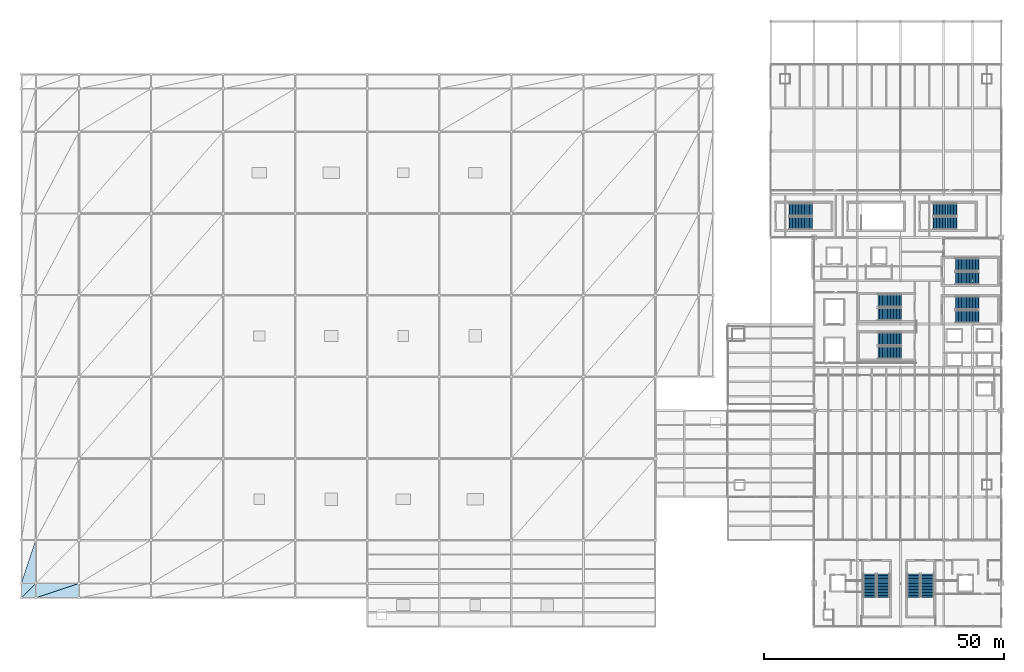
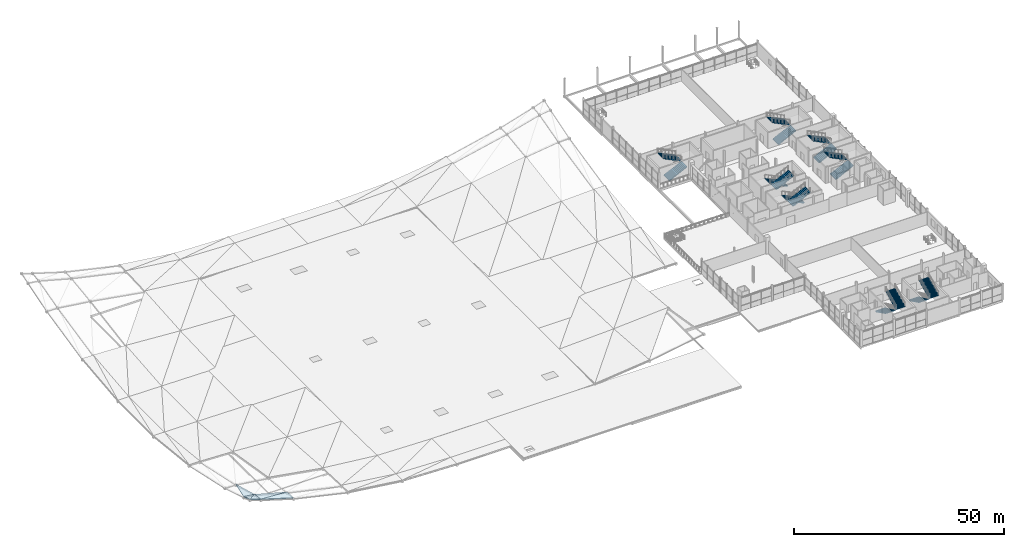
# One storey, part 54 of 69: 16 stair flights, 5 roofs, 8 elements without a shape of their own.
"""IFC4 building model written with IfcOpenShell, lengths in metres."""

from ifc_helpers import new_model, si_unit, direction, frame, origin, place, context, subcontext, project, spatial, polyline, outline, extrude, material, layer, layer_set, type_object, element, aggregate, save


model = new_model("IFC4")

# Units and contexts
model_context = context("Model", 3, precision=1e-05, world=origin(), true_north=direction((0.0, 1.0)))
body_context = subcontext(model_context, "Body", "Model", "MODEL_VIEW")
ifc_project = project(units=[si_unit("LENGTHUNIT", "METRE"), si_unit("AREAUNIT", "SQUARE_METRE"), si_unit("VOLUMEUNIT", "CUBIC_METRE"), si_unit("PLANEANGLEUNIT", "RADIAN"), si_unit("MASSUNIT", "GRAM", prefix="KILO")], contexts=[model_context])

# Site, building, storey
site_placement = place(None, origin())
site = spatial("IfcSite", under=ifc_project, at=site_placement, CompositionType="ELEMENT")
building_placement = place(site_placement, origin())
building = spatial("IfcBuilding", under=site, at=building_placement, Name="Qamarlyn Nura Convention Centre", CompositionType="ELEMENT")
storey_placement = place(building_placement, frame((0.0, 0.0, 15.60009765625)))
storey = spatial("IfcBuildingStorey", under=building, at=storey_placement, Name="L03", CompositionType="ELEMENT", Elevation=15.60009765625)

# Stair, stair flights
ifc_material_1 = material(Name="Concrete C40/50", Category="concrete")
stair_type = type_object("IfcStairType", Name="STAIR-EXIT-48", PredefinedType="HALF_TURN_STAIR", material=ifc_material_1)
stair_1_placement = place(storey_placement, origin())
stair_1 = element("IfcStair", 1, at=stair_1_placement, inside=storey, type_object=stair_type, Name="L03 Enclosed exit stair ST-09", PredefinedType="HALF_TURN_STAIR")
stair_flight_type = type_object("IfcStairFlightType", Name="FLIGHT-EXIT-48", PredefinedType="STRAIGHT", material=ifc_material_1)
stair_flight_1_placement = place(storey_placement, frame((164.580078125, 10.93994140625, 0.0), z_axis=(0.0, 0.0, 1.0), x_axis=(0.0, -1.0, 0.0)))
stair_flight_1 = element("IfcStairFlight", 2, at=stair_flight_1_placement, type_object=stair_flight_type, Name="ST-09 flight 1", NumberOfRisers=16, NumberOfTreads=15, PredefinedType="STRAIGHT", RiserHeight=0.15, TreadLength=0.32, context=body_context, shape_type="SweptSolid", body=[
    extrude(outline(polyline([(-0.054931640625, 0.0), (0.0, 0.0), (0.0, 0.14990234375), (0.320068359375, 0.14990234375), (0.320068359375, 0.300048828125), (0.639892578125, 0.300048828125), (0.639892578125, 0.449951171875), (0.9599609375, 0.449951171875), (0.9599609375, 0.60009765625), (1.280029296875, 0.60009765625), (1.280029296875, 0.75), (1.60009765625, 0.75), (1.60009765625, 0.89990234375), (1.919921875, 0.89990234375), (1.919921875, 1.050048828125), (2.239990234375, 1.050048828125), (2.239990234375, 1.199951171875), (2.56005859375, 1.199951171875), (2.56005859375, 1.35009765625), (2.8798828125, 1.35009765625), (2.8798828125, 1.5), (3.199951171875, 1.5), (3.199951171875, 1.64990234375), (3.52001953125, 1.64990234375), (3.52001953125, 1.800048828125), (3.840087890625, 1.800048828125), (3.840087890625, 1.949951171875), (4.159912109375, 1.949951171875), (4.159912109375, 2.10009765625), (4.47998046875, 2.10009765625), (4.47998046875, 2.25), (4.800048828125, 2.25), (4.800048828125, 2.39990234375), (4.85498046875, 2.39990234375), (4.85498046875, 2.260009765625), (4.800048828125, 2.08447265625), (0.353271484375, -0.139892578125), (-0.054931640625, -0.139892578125), (-0.054931640625, 0.0)])), frame((0.0, 1.330078125, 0.0), z_axis=(0.0, -1.0, 0.0), x_axis=(1.0, 0.0, 0.0)), (0.0, 0.0, 1.0), 2.659912109375),
])
stair_flight_2_placement = place(storey_placement, frame((167.419921875, 6.139892578125, 2.39990234375), z_axis=(0.0, 0.0, 1.0), x_axis=(0.0, 1.0, 0.0)))
stair_flight_2 = element("IfcStairFlight", 3, at=stair_flight_2_placement, type_object=stair_flight_type, Name="ST-09 flight 2", NumberOfRisers=16, NumberOfTreads=15, PredefinedType="STRAIGHT", RiserHeight=0.15, TreadLength=0.32, context=body_context, shape_type="SweptSolid", body=[
    extrude(outline(polyline([(-0.054931640625, 0.0), (0.0, 0.0), (0.0, 0.14990234375), (0.320068359375, 0.14990234375), (0.320068359375, 0.300048828125), (0.639892578125, 0.300048828125), (0.639892578125, 0.449951171875), (0.9599609375, 0.449951171875), (0.9599609375, 0.60009765625), (1.280029296875, 0.60009765625), (1.280029296875, 0.75), (1.60009765625, 0.75), (1.60009765625, 0.89990234375), (1.919921875, 0.89990234375), (1.919921875, 1.050048828125), (2.239990234375, 1.050048828125), (2.239990234375, 1.199951171875), (2.56005859375, 1.199951171875), (2.56005859375, 1.35009765625), (2.8798828125, 1.35009765625), (2.8798828125, 1.5), (3.199951171875, 1.5), (3.199951171875, 1.64990234375), (3.52001953125, 1.64990234375), (3.52001953125, 1.800048828125), (3.840087890625, 1.800048828125), (3.840087890625, 1.949951171875), (4.159912109375, 1.949951171875), (4.159912109375, 2.10009765625), (4.47998046875, 2.10009765625), (4.47998046875, 2.25), (4.800048828125, 2.25), (4.800048828125, 2.39990234375), (4.85498046875, 2.39990234375), (4.85498046875, 2.260009765625), (4.800048828125, 2.08447265625), (0.353271484375, -0.139892578125), (-0.054931640625, -0.139892578125), (-0.054931640625, 0.0)])), frame((0.0, 1.330078125, 0.0), z_axis=(0.0, -1.0, 0.0), x_axis=(1.0, 0.0, 0.0)), (0.0, 0.0, 1.0), 2.659912109375),
])
aggregate(stair_1, [stair_flight_1, stair_flight_2])

stair_2_placement = place(storey_placement, origin())
stair_2 = element("IfcStair", 4, at=stair_2_placement, inside=storey, type_object=stair_type, Name="L03 Enclosed exit stair ST-10", PredefinedType="HALF_TURN_STAIR")
stair_flight_3_placement = place(storey_placement, frame((173.780029296875, 10.93994140625, 0.0), z_axis=(0.0, 0.0, 1.0), x_axis=(0.0, -1.0, 0.0)))
stair_flight_3 = element("IfcStairFlight", 5, at=stair_flight_3_placement, type_object=stair_flight_type, Name="ST-10 flight 1", NumberOfRisers=16, NumberOfTreads=15, PredefinedType="STRAIGHT", RiserHeight=0.15, TreadLength=0.32, context=body_context, shape_type="SweptSolid", body=[
    extrude(outline(polyline([(-0.054931640625, 0.0), (0.0, 0.0), (0.0, 0.14990234375), (0.320068359375, 0.14990234375), (0.320068359375, 0.300048828125), (0.639892578125, 0.300048828125), (0.639892578125, 0.449951171875), (0.9599609375, 0.449951171875), (0.9599609375, 0.60009765625), (1.280029296875, 0.60009765625), (1.280029296875, 0.75), (1.60009765625, 0.75), (1.60009765625, 0.89990234375), (1.919921875, 0.89990234375), (1.919921875, 1.050048828125), (2.239990234375, 1.050048828125), (2.239990234375, 1.199951171875), (2.56005859375, 1.199951171875), (2.56005859375, 1.35009765625), (2.8798828125, 1.35009765625), (2.8798828125, 1.5), (3.199951171875, 1.5), (3.199951171875, 1.64990234375), (3.52001953125, 1.64990234375), (3.52001953125, 1.800048828125), (3.840087890625, 1.800048828125), (3.840087890625, 1.949951171875), (4.159912109375, 1.949951171875), (4.159912109375, 2.10009765625), (4.47998046875, 2.10009765625), (4.47998046875, 2.25), (4.800048828125, 2.25), (4.800048828125, 2.39990234375), (4.85498046875, 2.39990234375), (4.85498046875, 2.260009765625), (4.800048828125, 2.08447265625), (0.353271484375, -0.139892578125), (-0.054931640625, -0.139892578125), (-0.054931640625, 0.0)])), frame((0.0, 1.330078125, 0.0), z_axis=(0.0, -1.0, 0.0), x_axis=(1.0, 0.0, 0.0)), (0.0, 0.0, 1.0), 2.659912109375),
])
stair_flight_4_placement = place(storey_placement, frame((176.6201171875, 6.139892578125, 2.39990234375), z_axis=(0.0, 0.0, 1.0), x_axis=(0.0, 1.0, 0.0)))
stair_flight_4 = element("IfcStairFlight", 6, at=stair_flight_4_placement, type_object=stair_flight_type, Name="ST-10 flight 2", NumberOfRisers=16, NumberOfTreads=15, PredefinedType="STRAIGHT", RiserHeight=0.15, TreadLength=0.32, context=body_context, shape_type="SweptSolid", body=[
    extrude(outline(polyline([(-0.054931640625, 0.0), (0.0, 0.0), (0.0, 0.14990234375), (0.320068359375, 0.14990234375), (0.320068359375, 0.300048828125), (0.639892578125, 0.300048828125), (0.639892578125, 0.449951171875), (0.9599609375, 0.449951171875), (0.9599609375, 0.60009765625), (1.280029296875, 0.60009765625), (1.280029296875, 0.75), (1.60009765625, 0.75), (1.60009765625, 0.89990234375), (1.919921875, 0.89990234375), (1.919921875, 1.050048828125), (2.239990234375, 1.050048828125), (2.239990234375, 1.199951171875), (2.56005859375, 1.199951171875), (2.56005859375, 1.35009765625), (2.8798828125, 1.35009765625), (2.8798828125, 1.5), (3.199951171875, 1.5), (3.199951171875, 1.64990234375), (3.52001953125, 1.64990234375), (3.52001953125, 1.800048828125), (3.840087890625, 1.800048828125), (3.840087890625, 1.949951171875), (4.159912109375, 1.949951171875), (4.159912109375, 2.10009765625), (4.47998046875, 2.10009765625), (4.47998046875, 2.25), (4.800048828125, 2.25), (4.800048828125, 2.39990234375), (4.85498046875, 2.39990234375), (4.85498046875, 2.260009765625), (4.800048828125, 2.08447265625), (0.353271484375, -0.139892578125), (-0.054931640625, -0.139892578125), (-0.054931640625, 0.0)])), frame((0.0, 1.330078125, 0.0), z_axis=(0.0, -1.0, 0.0), x_axis=(1.0, 0.0, 0.0)), (0.0, 0.0, 1.0), 2.659912109375),
])
aggregate(stair_2, [stair_flight_3, stair_flight_4])

stair_3_placement = place(storey_placement, origin())
stair_3 = element("IfcStair", 7, at=stair_3_placement, inside=storey, type_object=stair_type, Name="L03 Enclosed exit stair ST-11", PredefinedType="HALF_TURN_STAIR")
stair_flight_5_placement = place(storey_placement, frame((171.139892578125, 59.8701171875, 0.0), z_axis=(0.0, 0.0, 1.0), x_axis=(-1.0, 0.0, 0.0)))
stair_flight_5 = element("IfcStairFlight", 8, at=stair_flight_5_placement, type_object=stair_flight_type, Name="ST-11 flight 1", NumberOfRisers=16, NumberOfTreads=15, PredefinedType="STRAIGHT", RiserHeight=0.15, TreadLength=0.32, context=body_context, shape_type="SweptSolid", body=[
    extrude(outline(polyline([(-0.054931640625, 0.0), (0.0, 0.0), (0.0, 0.14990234375), (0.320068359375, 0.14990234375), (0.320068359375, 0.300048828125), (0.639892578125, 0.300048828125), (0.639892578125, 0.449951171875), (0.9599609375, 0.449951171875), (0.9599609375, 0.60009765625), (1.280029296875, 0.60009765625), (1.280029296875, 0.75), (1.60009765625, 0.75), (1.60009765625, 0.89990234375), (1.919921875, 0.89990234375), (1.919921875, 1.050048828125), (2.239990234375, 1.050048828125), (2.239990234375, 1.199951171875), (2.56005859375, 1.199951171875), (2.56005859375, 1.35009765625), (2.8798828125, 1.35009765625), (2.8798828125, 1.5), (3.199951171875, 1.5), (3.199951171875, 1.64990234375), (3.52001953125, 1.64990234375), (3.52001953125, 1.800048828125), (3.840087890625, 1.800048828125), (3.840087890625, 1.949951171875), (4.159912109375, 1.949951171875), (4.159912109375, 2.10009765625), (4.47998046875, 2.10009765625), (4.47998046875, 2.25), (4.800048828125, 2.25), (4.800048828125, 2.39990234375), (4.85498046875, 2.39990234375), (4.85498046875, 2.260009765625), (4.800048828125, 2.08447265625), (0.353271484375, -0.139892578125), (-0.054931640625, -0.139892578125), (-0.054931640625, 0.0)])), frame((0.0, 1.330078125, 0.0), z_axis=(0.0, -1.0, 0.0), x_axis=(1.0, 0.0, 0.0)), (0.0, 0.0, 1.0), 2.659912109375),
])
stair_flight_6_placement = place(storey_placement, frame((166.340087890625, 57.030029296875, 2.39990234375), z_axis=(0.0, 0.0, 1.0), x_axis=(1.0, 0.0, 0.0)))
stair_flight_6 = element("IfcStairFlight", 9, at=stair_flight_6_placement, type_object=stair_flight_type, Name="ST-11 flight 2", NumberOfRisers=16, NumberOfTreads=15, PredefinedType="STRAIGHT", RiserHeight=0.15, TreadLength=0.32, context=body_context, shape_type="SweptSolid", body=[
    extrude(outline(polyline([(-0.054931640625, 0.0), (0.0, 0.0), (0.0, 0.14990234375), (0.320068359375, 0.14990234375), (0.320068359375, 0.300048828125), (0.639892578125, 0.300048828125), (0.639892578125, 0.449951171875), (0.9599609375, 0.449951171875), (0.9599609375, 0.60009765625), (1.280029296875, 0.60009765625), (1.280029296875, 0.75), (1.60009765625, 0.75), (1.60009765625, 0.89990234375), (1.919921875, 0.89990234375), (1.919921875, 1.050048828125), (2.239990234375, 1.050048828125), (2.239990234375, 1.199951171875), (2.56005859375, 1.199951171875), (2.56005859375, 1.35009765625), (2.8798828125, 1.35009765625), (2.8798828125, 1.5), (3.199951171875, 1.5), (3.199951171875, 1.64990234375), (3.52001953125, 1.64990234375), (3.52001953125, 1.800048828125), (3.840087890625, 1.800048828125), (3.840087890625, 1.949951171875), (4.159912109375, 1.949951171875), (4.159912109375, 2.10009765625), (4.47998046875, 2.10009765625), (4.47998046875, 2.25), (4.800048828125, 2.25), (4.800048828125, 2.39990234375), (4.85498046875, 2.39990234375), (4.85498046875, 2.260009765625), (4.800048828125, 2.08447265625), (0.353271484375, -0.139892578125), (-0.054931640625, -0.139892578125), (-0.054931640625, 0.0)])), frame((0.0, 1.330078125, 0.0), z_axis=(0.0, -1.0, 0.0), x_axis=(1.0, 0.0, 0.0)), (0.0, 0.0, 1.0), 2.659912109375),
])
aggregate(stair_3, [stair_flight_5, stair_flight_6])

stair_4_placement = place(storey_placement, origin())
stair_4 = element("IfcStair", 10, at=stair_4_placement, inside=storey, type_object=stair_type, Name="L03 Enclosed exit stair ST-12", PredefinedType="HALF_TURN_STAIR")
stair_flight_7_placement = place(storey_placement, frame((171.139892578125, 67.8701171875, 0.0), z_axis=(0.0, 0.0, 1.0), x_axis=(-1.0, 0.0, 0.0)))
stair_flight_7 = element("IfcStairFlight", 11, at=stair_flight_7_placement, type_object=stair_flight_type, Name="ST-12 flight 1", NumberOfRisers=16, NumberOfTreads=15, PredefinedType="STRAIGHT", RiserHeight=0.15, TreadLength=0.32, context=body_context, shape_type="SweptSolid", body=[
    extrude(outline(polyline([(-0.054931640625, 0.0), (0.0, 0.0), (0.0, 0.14990234375), (0.320068359375, 0.14990234375), (0.320068359375, 0.300048828125), (0.639892578125, 0.300048828125), (0.639892578125, 0.449951171875), (0.9599609375, 0.449951171875), (0.9599609375, 0.60009765625), (1.280029296875, 0.60009765625), (1.280029296875, 0.75), (1.60009765625, 0.75), (1.60009765625, 0.89990234375), (1.919921875, 0.89990234375), (1.919921875, 1.050048828125), (2.239990234375, 1.050048828125), (2.239990234375, 1.199951171875), (2.56005859375, 1.199951171875), (2.56005859375, 1.35009765625), (2.8798828125, 1.35009765625), (2.8798828125, 1.5), (3.199951171875, 1.5), (3.199951171875, 1.64990234375), (3.52001953125, 1.64990234375), (3.52001953125, 1.800048828125), (3.840087890625, 1.800048828125), (3.840087890625, 1.949951171875), (4.159912109375, 1.949951171875), (4.159912109375, 2.10009765625), (4.47998046875, 2.10009765625), (4.47998046875, 2.25), (4.800048828125, 2.25), (4.800048828125, 2.39990234375), (4.85498046875, 2.39990234375), (4.85498046875, 2.260009765625), (4.800048828125, 2.08447265625), (0.353271484375, -0.139892578125), (-0.054931640625, -0.139892578125), (-0.054931640625, 0.0)])), frame((0.0, 1.330078125, 0.0), z_axis=(0.0, -1.0, 0.0), x_axis=(1.0, 0.0, 0.0)), (0.0, 0.0, 1.0), 2.659912109375),
])
stair_flight_8_placement = place(storey_placement, frame((166.340087890625, 65.030029296875, 2.39990234375), z_axis=(0.0, 0.0, 1.0), x_axis=(1.0, 0.0, 0.0)))
stair_flight_8 = element("IfcStairFlight", 12, at=stair_flight_8_placement, type_object=stair_flight_type, Name="ST-12 flight 2", NumberOfRisers=16, NumberOfTreads=15, PredefinedType="STRAIGHT", RiserHeight=0.15, TreadLength=0.32, context=body_context, shape_type="SweptSolid", body=[
    extrude(outline(polyline([(-0.054931640625, 0.0), (0.0, 0.0), (0.0, 0.14990234375), (0.320068359375, 0.14990234375), (0.320068359375, 0.300048828125), (0.639892578125, 0.300048828125), (0.639892578125, 0.449951171875), (0.9599609375, 0.449951171875), (0.9599609375, 0.60009765625), (1.280029296875, 0.60009765625), (1.280029296875, 0.75), (1.60009765625, 0.75), (1.60009765625, 0.89990234375), (1.919921875, 0.89990234375), (1.919921875, 1.050048828125), (2.239990234375, 1.050048828125), (2.239990234375, 1.199951171875), (2.56005859375, 1.199951171875), (2.56005859375, 1.35009765625), (2.8798828125, 1.35009765625), (2.8798828125, 1.5), (3.199951171875, 1.5), (3.199951171875, 1.64990234375), (3.52001953125, 1.64990234375), (3.52001953125, 1.800048828125), (3.840087890625, 1.800048828125), (3.840087890625, 1.949951171875), (4.159912109375, 1.949951171875), (4.159912109375, 2.10009765625), (4.47998046875, 2.10009765625), (4.47998046875, 2.25), (4.800048828125, 2.25), (4.800048828125, 2.39990234375), (4.85498046875, 2.39990234375), (4.85498046875, 2.260009765625), (4.800048828125, 2.08447265625), (0.353271484375, -0.139892578125), (-0.054931640625, -0.139892578125), (-0.054931640625, 0.0)])), frame((0.0, 1.330078125, 0.0), z_axis=(0.0, -1.0, 0.0), x_axis=(1.0, 0.0, 0.0)), (0.0, 0.0, 1.0), 2.659912109375),
])
aggregate(stair_4, [stair_flight_7, stair_flight_8])

stair_5_placement = place(storey_placement, origin())
stair_5 = element("IfcStair", 13, at=stair_5_placement, inside=storey, type_object=stair_type, Name="L03 Enclosed exit stair ST-13", PredefinedType="HALF_TURN_STAIR")
stair_flight_9_placement = place(storey_placement, frame((182.4599609375, 64.530029296875, 0.0), z_axis=(0.0, 0.0, 1.0), x_axis=(1.0, 0.0, 0.0)))
stair_flight_9 = element("IfcStairFlight", 14, at=stair_flight_9_placement, type_object=stair_flight_type, Name="ST-13 flight 1", NumberOfRisers=16, NumberOfTreads=15, PredefinedType="STRAIGHT", RiserHeight=0.15, TreadLength=0.32, context=body_context, shape_type="SweptSolid", body=[
    extrude(outline(polyline([(-0.054931640625, 0.0), (0.0, 0.0), (0.0, 0.14990234375), (0.320068359375, 0.14990234375), (0.320068359375, 0.300048828125), (0.639892578125, 0.300048828125), (0.639892578125, 0.449951171875), (0.9599609375, 0.449951171875), (0.9599609375, 0.60009765625), (1.280029296875, 0.60009765625), (1.280029296875, 0.75), (1.60009765625, 0.75), (1.60009765625, 0.89990234375), (1.919921875, 0.89990234375), (1.919921875, 1.050048828125), (2.239990234375, 1.050048828125), (2.239990234375, 1.199951171875), (2.56005859375, 1.199951171875), (2.56005859375, 1.35009765625), (2.8798828125, 1.35009765625), (2.8798828125, 1.5), (3.199951171875, 1.5), (3.199951171875, 1.64990234375), (3.52001953125, 1.64990234375), (3.52001953125, 1.800048828125), (3.840087890625, 1.800048828125), (3.840087890625, 1.949951171875), (4.159912109375, 1.949951171875), (4.159912109375, 2.10009765625), (4.47998046875, 2.10009765625), (4.47998046875, 2.25), (4.800048828125, 2.25), (4.800048828125, 2.39990234375), (4.85498046875, 2.39990234375), (4.85498046875, 2.260009765625), (4.800048828125, 2.08447265625), (0.353271484375, -0.139892578125), (-0.054931640625, -0.139892578125), (-0.054931640625, 0.0)])), frame((0.0, 1.330078125, 0.0), z_axis=(0.0, -1.0, 0.0), x_axis=(1.0, 0.0, 0.0)), (0.0, 0.0, 1.0), 2.659912109375),
])
stair_flight_10_placement = place(storey_placement, frame((187.260009765625, 67.3701171875, 2.39990234375), z_axis=(0.0, 0.0, 1.0), x_axis=(-1.0, 0.0, 0.0)))
stair_flight_10 = element("IfcStairFlight", 15, at=stair_flight_10_placement, type_object=stair_flight_type, Name="ST-13 flight 2", NumberOfRisers=16, NumberOfTreads=15, PredefinedType="STRAIGHT", RiserHeight=0.15, TreadLength=0.32, context=body_context, shape_type="SweptSolid", body=[
    extrude(outline(polyline([(-0.054931640625, 0.0), (0.0, 0.0), (0.0, 0.14990234375), (0.320068359375, 0.14990234375), (0.320068359375, 0.300048828125), (0.639892578125, 0.300048828125), (0.639892578125, 0.449951171875), (0.9599609375, 0.449951171875), (0.9599609375, 0.60009765625), (1.280029296875, 0.60009765625), (1.280029296875, 0.75), (1.60009765625, 0.75), (1.60009765625, 0.89990234375), (1.919921875, 0.89990234375), (1.919921875, 1.050048828125), (2.239990234375, 1.050048828125), (2.239990234375, 1.199951171875), (2.56005859375, 1.199951171875), (2.56005859375, 1.35009765625), (2.8798828125, 1.35009765625), (2.8798828125, 1.5), (3.199951171875, 1.5), (3.199951171875, 1.64990234375), (3.52001953125, 1.64990234375), (3.52001953125, 1.800048828125), (3.840087890625, 1.800048828125), (3.840087890625, 1.949951171875), (4.159912109375, 1.949951171875), (4.159912109375, 2.10009765625), (4.47998046875, 2.10009765625), (4.47998046875, 2.25), (4.800048828125, 2.25), (4.800048828125, 2.39990234375), (4.85498046875, 2.39990234375), (4.85498046875, 2.260009765625), (4.800048828125, 2.08447265625), (0.353271484375, -0.139892578125), (-0.054931640625, -0.139892578125), (-0.054931640625, 0.0)])), frame((0.0, 1.330078125, 0.0), z_axis=(0.0, -1.0, 0.0), x_axis=(1.0, 0.0, 0.0)), (0.0, 0.0, 1.0), 2.659912109375),
])
aggregate(stair_5, [stair_flight_9, stair_flight_10])

stair_6_placement = place(storey_placement, origin())
stair_6 = element("IfcStair", 16, at=stair_6_placement, inside=storey, type_object=stair_type, Name="L03 Enclosed exit stair ST-14", PredefinedType="HALF_TURN_STAIR")
stair_flight_11_placement = place(storey_placement, frame((182.4599609375, 72.530029296875, 0.0), z_axis=(0.0, 0.0, 1.0), x_axis=(1.0, 0.0, 0.0)))
stair_flight_11 = element("IfcStairFlight", 17, at=stair_flight_11_placement, type_object=stair_flight_type, Name="ST-14 flight 1", NumberOfRisers=16, NumberOfTreads=15, PredefinedType="STRAIGHT", RiserHeight=0.15, TreadLength=0.32, context=body_context, shape_type="SweptSolid", body=[
    extrude(outline(polyline([(-0.054931640625, 0.0), (0.0, 0.0), (0.0, 0.14990234375), (0.320068359375, 0.14990234375), (0.320068359375, 0.300048828125), (0.639892578125, 0.300048828125), (0.639892578125, 0.449951171875), (0.9599609375, 0.449951171875), (0.9599609375, 0.60009765625), (1.280029296875, 0.60009765625), (1.280029296875, 0.75), (1.60009765625, 0.75), (1.60009765625, 0.89990234375), (1.919921875, 0.89990234375), (1.919921875, 1.050048828125), (2.239990234375, 1.050048828125), (2.239990234375, 1.199951171875), (2.56005859375, 1.199951171875), (2.56005859375, 1.35009765625), (2.8798828125, 1.35009765625), (2.8798828125, 1.5), (3.199951171875, 1.5), (3.199951171875, 1.64990234375), (3.52001953125, 1.64990234375), (3.52001953125, 1.800048828125), (3.840087890625, 1.800048828125), (3.840087890625, 1.949951171875), (4.159912109375, 1.949951171875), (4.159912109375, 2.10009765625), (4.47998046875, 2.10009765625), (4.47998046875, 2.25), (4.800048828125, 2.25), (4.800048828125, 2.39990234375), (4.85498046875, 2.39990234375), (4.85498046875, 2.260009765625), (4.800048828125, 2.08447265625), (0.353271484375, -0.139892578125), (-0.054931640625, -0.139892578125), (-0.054931640625, 0.0)])), frame((0.0, 1.330078125, 0.0), z_axis=(0.0, -1.0, 0.0), x_axis=(1.0, 0.0, 0.0)), (0.0, 0.0, 1.0), 2.659912109375),
])
stair_flight_12_placement = place(storey_placement, frame((187.260009765625, 75.3701171875, 2.39990234375), z_axis=(0.0, 0.0, 1.0), x_axis=(-1.0, 0.0, 0.0)))
stair_flight_12 = element("IfcStairFlight", 18, at=stair_flight_12_placement, type_object=stair_flight_type, Name="ST-14 flight 2", NumberOfRisers=16, NumberOfTreads=15, PredefinedType="STRAIGHT", RiserHeight=0.15, TreadLength=0.32, context=body_context, shape_type="SweptSolid", body=[
    extrude(outline(polyline([(-0.054931640625, 0.0), (0.0, 0.0), (0.0, 0.14990234375), (0.320068359375, 0.14990234375), (0.320068359375, 0.300048828125), (0.639892578125, 0.300048828125), (0.639892578125, 0.449951171875), (0.9599609375, 0.449951171875), (0.9599609375, 0.60009765625), (1.280029296875, 0.60009765625), (1.280029296875, 0.75), (1.60009765625, 0.75), (1.60009765625, 0.89990234375), (1.919921875, 0.89990234375), (1.919921875, 1.050048828125), (2.239990234375, 1.050048828125), (2.239990234375, 1.199951171875), (2.56005859375, 1.199951171875), (2.56005859375, 1.35009765625), (2.8798828125, 1.35009765625), (2.8798828125, 1.5), (3.199951171875, 1.5), (3.199951171875, 1.64990234375), (3.52001953125, 1.64990234375), (3.52001953125, 1.800048828125), (3.840087890625, 1.800048828125), (3.840087890625, 1.949951171875), (4.159912109375, 1.949951171875), (4.159912109375, 2.10009765625), (4.47998046875, 2.10009765625), (4.47998046875, 2.25), (4.800048828125, 2.25), (4.800048828125, 2.39990234375), (4.85498046875, 2.39990234375), (4.85498046875, 2.260009765625), (4.800048828125, 2.08447265625), (0.353271484375, -0.139892578125), (-0.054931640625, -0.139892578125), (-0.054931640625, 0.0)])), frame((0.0, 1.330078125, 0.0), z_axis=(0.0, -1.0, 0.0), x_axis=(1.0, 0.0, 0.0)), (0.0, 0.0, 1.0), 2.659912109375),
])
aggregate(stair_6, [stair_flight_11, stair_flight_12])

stair_7_placement = place(storey_placement, origin())
stair_7 = element("IfcStair", 19, at=stair_7_placement, inside=storey, type_object=stair_type, Name="L03 Enclosed exit stair ST-15", PredefinedType="HALF_TURN_STAIR")
stair_flight_13_placement = place(storey_placement, frame((147.860107421875, 83.97998046875, 0.0), z_axis=(0.0, 0.0, 1.0), x_axis=(1.0, 0.0, 0.0)))
stair_flight_13 = element("IfcStairFlight", 20, at=stair_flight_13_placement, type_object=stair_flight_type, Name="ST-15 flight 1", NumberOfRisers=16, NumberOfTreads=15, PredefinedType="STRAIGHT", RiserHeight=0.15, TreadLength=0.32, context=body_context, shape_type="SweptSolid", body=[
    extrude(outline(polyline([(-0.054931640625, 0.0), (0.0, 0.0), (0.0, 0.14990234375), (0.320068359375, 0.14990234375), (0.320068359375, 0.300048828125), (0.639892578125, 0.300048828125), (0.639892578125, 0.449951171875), (0.9599609375, 0.449951171875), (0.9599609375, 0.60009765625), (1.280029296875, 0.60009765625), (1.280029296875, 0.75), (1.60009765625, 0.75), (1.60009765625, 0.89990234375), (1.919921875, 0.89990234375), (1.919921875, 1.050048828125), (2.239990234375, 1.050048828125), (2.239990234375, 1.199951171875), (2.56005859375, 1.199951171875), (2.56005859375, 1.35009765625), (2.8798828125, 1.35009765625), (2.8798828125, 1.5), (3.199951171875, 1.5), (3.199951171875, 1.64990234375), (3.52001953125, 1.64990234375), (3.52001953125, 1.800048828125), (3.840087890625, 1.800048828125), (3.840087890625, 1.949951171875), (4.159912109375, 1.949951171875), (4.159912109375, 2.10009765625), (4.47998046875, 2.10009765625), (4.47998046875, 2.25), (4.800048828125, 2.25), (4.800048828125, 2.39990234375), (4.85498046875, 2.39990234375), (4.85498046875, 2.260009765625), (4.800048828125, 2.08447265625), (0.353271484375, -0.139892578125), (-0.054931640625, -0.139892578125), (-0.054931640625, 0.0)])), frame((0.0, 1.330078125, 0.0), z_axis=(0.0, -1.0, 0.0), x_axis=(1.0, 0.0, 0.0)), (0.0, 0.0, 1.0), 2.659912109375),
])
stair_flight_14_placement = place(storey_placement, frame((152.659912109375, 86.820068359375, 2.39990234375), z_axis=(0.0, 0.0, 1.0), x_axis=(-1.0, 0.0, 0.0)))
stair_flight_14 = element("IfcStairFlight", 21, at=stair_flight_14_placement, type_object=stair_flight_type, Name="ST-15 flight 2", NumberOfRisers=16, NumberOfTreads=15, PredefinedType="STRAIGHT", RiserHeight=0.15, TreadLength=0.32, context=body_context, shape_type="SweptSolid", body=[
    extrude(outline(polyline([(-0.054931640625, 0.0), (0.0, 0.0), (0.0, 0.14990234375), (0.320068359375, 0.14990234375), (0.320068359375, 0.300048828125), (0.639892578125, 0.300048828125), (0.639892578125, 0.449951171875), (0.9599609375, 0.449951171875), (0.9599609375, 0.60009765625), (1.280029296875, 0.60009765625), (1.280029296875, 0.75), (1.60009765625, 0.75), (1.60009765625, 0.89990234375), (1.919921875, 0.89990234375), (1.919921875, 1.050048828125), (2.239990234375, 1.050048828125), (2.239990234375, 1.199951171875), (2.56005859375, 1.199951171875), (2.56005859375, 1.35009765625), (2.8798828125, 1.35009765625), (2.8798828125, 1.5), (3.199951171875, 1.5), (3.199951171875, 1.64990234375), (3.52001953125, 1.64990234375), (3.52001953125, 1.800048828125), (3.840087890625, 1.800048828125), (3.840087890625, 1.949951171875), (4.159912109375, 1.949951171875), (4.159912109375, 2.10009765625), (4.47998046875, 2.10009765625), (4.47998046875, 2.25), (4.800048828125, 2.25), (4.800048828125, 2.39990234375), (4.85498046875, 2.39990234375), (4.85498046875, 2.260009765625), (4.800048828125, 2.08447265625), (0.353271484375, -0.139892578125), (-0.054931640625, -0.139892578125), (-0.054931640625, 0.0)])), frame((0.0, 1.330078125, 0.0), z_axis=(0.0, -1.0, 0.0), x_axis=(1.0, 0.0, 0.0)), (0.0, 0.0, 1.0), 2.659912109375),
])
aggregate(stair_7, [stair_flight_13, stair_flight_14])

stair_8_placement = place(storey_placement, origin())
stair_8 = element("IfcStair", 22, at=stair_8_placement, inside=storey, type_object=stair_type, Name="L03 Enclosed exit stair ST-17", PredefinedType="HALF_TURN_STAIR")
stair_flight_15_placement = place(storey_placement, frame((177.860107421875, 83.97998046875, 0.0), z_axis=(0.0, 0.0, 1.0), x_axis=(1.0, 0.0, 0.0)))
stair_flight_15 = element("IfcStairFlight", 23, at=stair_flight_15_placement, type_object=stair_flight_type, Name="ST-17 flight 1", NumberOfRisers=16, NumberOfTreads=15, PredefinedType="STRAIGHT", RiserHeight=0.15, TreadLength=0.32, context=body_context, shape_type="SweptSolid", body=[
    extrude(outline(polyline([(-0.054931640625, 0.0), (0.0, 0.0), (0.0, 0.14990234375), (0.320068359375, 0.14990234375), (0.320068359375, 0.300048828125), (0.639892578125, 0.300048828125), (0.639892578125, 0.449951171875), (0.9599609375, 0.449951171875), (0.9599609375, 0.60009765625), (1.280029296875, 0.60009765625), (1.280029296875, 0.75), (1.60009765625, 0.75), (1.60009765625, 0.89990234375), (1.919921875, 0.89990234375), (1.919921875, 1.050048828125), (2.239990234375, 1.050048828125), (2.239990234375, 1.199951171875), (2.56005859375, 1.199951171875), (2.56005859375, 1.35009765625), (2.8798828125, 1.35009765625), (2.8798828125, 1.5), (3.199951171875, 1.5), (3.199951171875, 1.64990234375), (3.52001953125, 1.64990234375), (3.52001953125, 1.800048828125), (3.840087890625, 1.800048828125), (3.840087890625, 1.949951171875), (4.159912109375, 1.949951171875), (4.159912109375, 2.10009765625), (4.47998046875, 2.10009765625), (4.47998046875, 2.25), (4.800048828125, 2.25), (4.800048828125, 2.39990234375), (4.85498046875, 2.39990234375), (4.85498046875, 2.260009765625), (4.800048828125, 2.08447265625), (0.353271484375, -0.139892578125), (-0.054931640625, -0.139892578125), (-0.054931640625, 0.0)])), frame((0.0, 1.330078125, 0.0), z_axis=(0.0, -1.0, 0.0), x_axis=(1.0, 0.0, 0.0)), (0.0, 0.0, 1.0), 2.659912109375),
])
stair_flight_16_placement = place(storey_placement, frame((182.659912109375, 86.820068359375, 2.39990234375), z_axis=(0.0, 0.0, 1.0), x_axis=(-1.0, 0.0, 0.0)))
stair_flight_16 = element("IfcStairFlight", 24, at=stair_flight_16_placement, type_object=stair_flight_type, Name="ST-17 flight 2", NumberOfRisers=16, NumberOfTreads=15, PredefinedType="STRAIGHT", RiserHeight=0.15, TreadLength=0.32, context=body_context, shape_type="SweptSolid", body=[
    extrude(outline(polyline([(-0.054931640625, 0.0), (0.0, 0.0), (0.0, 0.14990234375), (0.320068359375, 0.14990234375), (0.320068359375, 0.300048828125), (0.639892578125, 0.300048828125), (0.639892578125, 0.449951171875), (0.9599609375, 0.449951171875), (0.9599609375, 0.60009765625), (1.280029296875, 0.60009765625), (1.280029296875, 0.75), (1.60009765625, 0.75), (1.60009765625, 0.89990234375), (1.919921875, 0.89990234375), (1.919921875, 1.050048828125), (2.239990234375, 1.050048828125), (2.239990234375, 1.199951171875), (2.56005859375, 1.199951171875), (2.56005859375, 1.35009765625), (2.8798828125, 1.35009765625), (2.8798828125, 1.5), (3.199951171875, 1.5), (3.199951171875, 1.64990234375), (3.52001953125, 1.64990234375), (3.52001953125, 1.800048828125), (3.840087890625, 1.800048828125), (3.840087890625, 1.949951171875), (4.159912109375, 1.949951171875), (4.159912109375, 2.10009765625), (4.47998046875, 2.10009765625), (4.47998046875, 2.25), (4.800048828125, 2.25), (4.800048828125, 2.39990234375), (4.85498046875, 2.39990234375), (4.85498046875, 2.260009765625), (4.800048828125, 2.08447265625), (0.353271484375, -0.139892578125), (-0.054931640625, -0.139892578125), (-0.054931640625, 0.0)])), frame((0.0, 1.330078125, 0.0), z_axis=(0.0, -1.0, 0.0), x_axis=(1.0, 0.0, 0.0)), (0.0, 0.0, 1.0), 2.659912109375),
])
aggregate(stair_8, [stair_flight_15, stair_flight_16])

# Roofs
ifc_material_2 = material(Name="High-albedo standing-seam insulated steel roof", Category="steel")
ifc_layer = layer(ifc_material_2, 0.199951171875, Name="ROOF-CROWN-FREE")
ifc_layer_set = layer_set([ifc_layer], Name="High-albedo standing-seam insulated steel roof")
roof_type = type_object("IfcRoofType", Name="ROOF-CROWN-FREE", PredefinedType="FREEFORM", material=ifc_layer_set)
roof_1_placement = place(storey_placement, frame((-12.0, 6.0, 9.579833984375), z_axis=(0.323939332973, 0.128828239555, 0.937265487067), x_axis=(0.945141424034, 0.0, -0.326661428049)))
element("IfcRoof", 25, at=roof_1_placement, inside=storey, type_object=roof_type, Name="Exhibition swept roof facet 0-0A", PredefinedType="FREEFORM", context=body_context, shape_type="SweptSolid", body=[
    extrude(outline(polyline([(0.0, 0.0), (3.174128150257252, 2.7755575615628914e-17), (3.3088281385325264, 3.0252093043303527), (0.0, 0.0)])), origin(), (0.0, 0.0, -1.0), 0.199951171875),
])
roof_2_placement = place(storey_placement, frame((-12.0, 6.0, 9.579833984375), z_axis=(0.128828239555, 0.323939332973, 0.937265487067), x_axis=(0.669145693701, 0.669145693701, -0.323246161931)))
element("IfcRoof", 26, at=roof_2_placement, inside=storey, type_object=roof_type, Name="Exhibition swept roof facet 0-0B", PredefinedType="FREEFORM", context=body_context, shape_type="SweptSolid", body=[
    extrude(outline(polyline([(0.0, 0.0), (4.483328560941254, 0.0), (2.342599788554069, 2.141801985460364), (0.0, 0.0)])), origin(), (0.0, 0.0, -1.0), 0.199951171875),
])
roof_3_placement = place(storey_placement, frame((-12.0, 9.0, 8.54296875), z_axis=(0.131491605811, 0.259895092204, 0.956642304443), x_axis=(0.990685366619, 0.0, -0.136170864601)))
element("IfcRoof", 27, at=roof_3_placement, inside=storey, type_object=roof_type, Name="Exhibition swept roof facet 0-1A", PredefinedType="FREEFORM", context=body_context, shape_type="SweptSolid", body=[
    extrude(outline(polyline([(0.0, 0.0), (3.0282066346021197, -2.7755575615628914e-17), (3.3611537071073636, 9.320273897741792), (0.0, 0.0)])), origin(), (0.0, 0.0, -1.0), 0.199951171875),
])
roof_4_placement = place(storey_placement, frame((-9.0, 6.0, 8.54296875), z_axis=(0.292610116909, 0.032431581133, 0.955681700164), x_axis=(0.956184693556, 0.0, -0.29276412316)))
element("IfcRoof", 28, at=roof_4_placement, inside=storey, type_object=roof_type, Name="Exhibition swept roof facet 1-0A", PredefinedType="FREEFORM", context=body_context, shape_type="SweptSolid", body=[
    extrude(outline(polyline([(0.0, 0.0), (9.412407519860134, -1.3877787807814457e-17), (9.442212851734562, 3.0015789568604054), (0.0, 0.0)])), origin(), (0.0, 0.0, -1.0), 0.199951171875),
])
roof_5_placement = place(storey_placement, frame((-9.0, 6.0, 8.54296875), z_axis=(0.259895092204, 0.131491605811, 0.956642304443), x_axis=(0.908373558823, 0.302791186274, -0.288400719739)))
element("IfcRoof", 29, at=roof_5_placement, inside=storey, type_object=roof_type, Name="Exhibition swept roof facet 1-0B", PredefinedType="FREEFORM", context=body_context, shape_type="SweptSolid", body=[
    extrude(outline(polyline([(0.0, 0.0), (9.907818113577202, 3.191891195797325e-16), (1.0272966095160967, 2.8486307408867564), (0.0, 0.0)])), origin(), (0.0, 0.0, -1.0), 0.199951171875),
])

save(model, "model.ifc")
